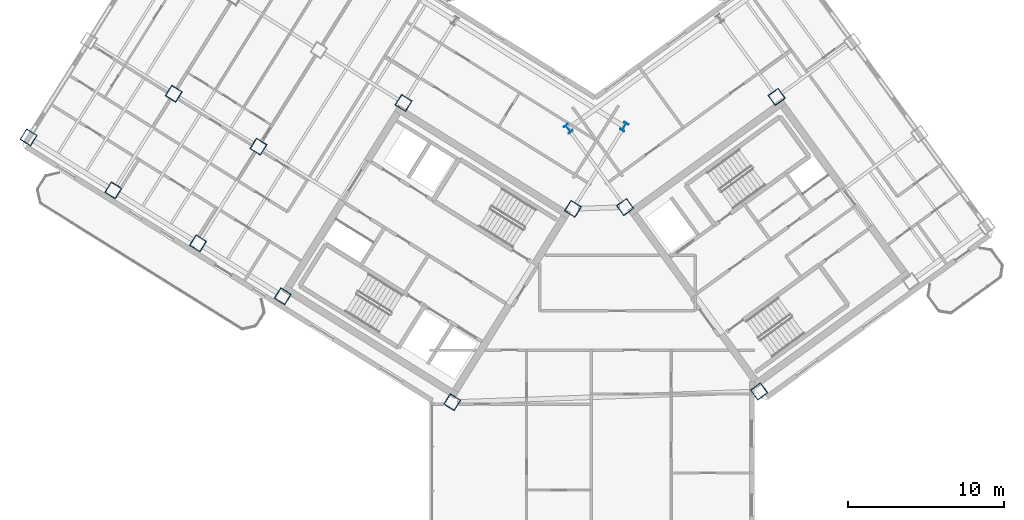
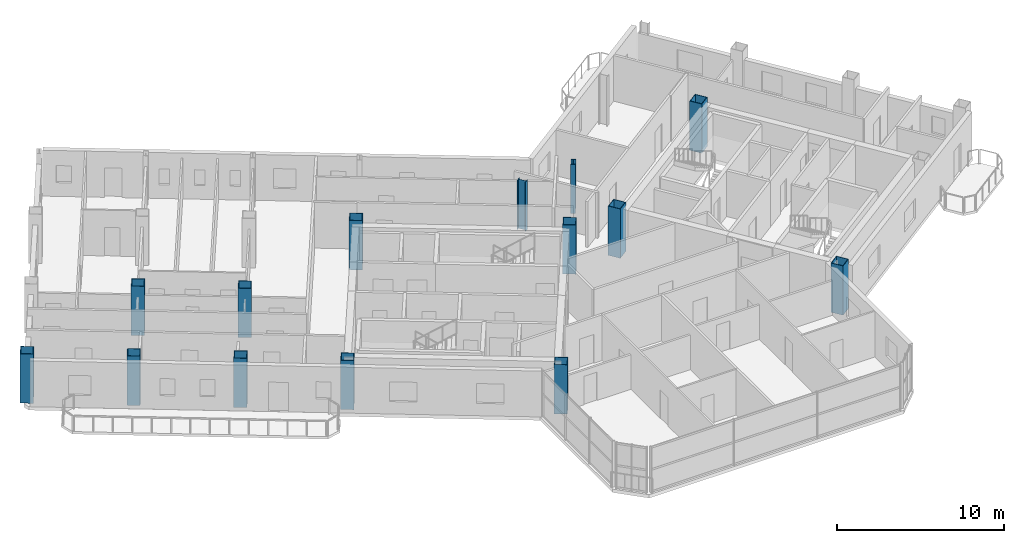
# One storey, part 1 of 20: 14 columns.
"""IFC4 building model written with IfcOpenShell, lengths in metres."""

from ifc_helpers import new_model, si_unit, direction, frame, origin, origin_2d, place, context, subcontext, project, spatial, hollow_rectangle, i_section, extrude, source, transform, mapped, material, material_profile, profile_set, type_object, element, save


model = new_model("IFC4")

# Units and contexts
model_context = context("Model", 3, precision=1e-05, world=origin(), true_north=direction((0.0, 1.0)))
body_context = subcontext(model_context, "Body", "Model", "MODEL_VIEW")
ifc_project = project(units=[si_unit("LENGTHUNIT", "METRE"), si_unit("AREAUNIT", "SQUARE_METRE"), si_unit("VOLUMEUNIT", "CUBIC_METRE"), si_unit("PLANEANGLEUNIT", "RADIAN"), si_unit("MASSUNIT", "GRAM", prefix="KILO")], contexts=[model_context])

# Site, building, storey
site_placement = place(None, origin())
site = spatial("IfcSite", under=ifc_project, at=site_placement, CompositionType="ELEMENT")
building_placement = place(site_placement, origin())
building = spatial("IfcBuilding", under=site, at=building_placement, Name="Tlacorven Tower", CompositionType="ELEMENT")
storey_placement = place(building_placement, frame((0.0, 0.0, 225.60009765625)))
storey = spatial("IfcBuildingStorey", under=building, at=storey_placement, Name="L57", CompositionType="ELEMENT", Elevation=225.60009765625)

# Columns
ifc_material = material(Name="Steel S460M", Category="steel")
ifc_material_profile_1 = material_profile(ifc_material, i_section(OverallWidth=0.300048828125, OverallDepth=0.550048828125, WebThickness=0.014892578125, FlangeThickness=0.029052734375, at=origin_2d()), Name="HEB 550")
ifc_profile_set_1 = profile_set([ifc_material_profile_1], Name="Steel S460M")
column_type_1 = type_object("IfcColumnType", Name="COL-TWR-P2", PredefinedType="COLUMN", material=ifc_profile_set_1)
shared_shape_1 = source(origin(), body_context, "Body", "SweptSolid", [
    extrude(i_section(OverallWidth=0.300048828125, OverallDepth=0.550048828125, WebThickness=0.014892578125, FlangeThickness=0.029052734375, at=origin_2d()), origin(), (0.0, 0.0, 1.0), 3.599853515625),
])
for number, where, z_axis, x_axis, name in (
    (1, (44.068359375, 29.726318359375, 0.0), (0.0, 0.0, 1.0), (-0.848048096156, 0.529919264233, 0.0), "L57 column COL-L57-W1-1"),
    (2, (40.4794921875, 29.60107421875, 0.0), (0.0, 0.0, 1.0), (0.809016994375, 0.587785252292, 0.0), "L57 column COL-L57-E1-4"),
):
    element("IfcColumn", number, at=place(storey_placement, frame(where, z_axis=z_axis, x_axis=x_axis)), inside=storey, type_object=column_type_1, Name=name, PredefinedType="COLUMN", context=body_context, shape_type="MappedRepresentation", body=[
        mapped(shared_shape_1, transform((0.0, 0.0, 0.0), scale=1.0)),
    ])
ifc_material_profile_2 = material_profile(ifc_material, hollow_rectangle(XDim=0.800048828125, YDim=0.800048828125, WallThickness=0.031982421875, at=origin_2d()), Name="BOX 800X800X32")
ifc_profile_set_2 = profile_set([ifc_material_profile_2], Name="Steel S460M")
column_type_2 = type_object("IfcColumnType", Name="COL-TWR-S3", PredefinedType="COLUMN", material=ifc_profile_set_2)
shared_shape_2 = source(origin(), body_context, "Body", "SweptSolid", [
    extrude(hollow_rectangle(XDim=0.800048828125, YDim=0.800048828125, WallThickness=0.031982421875, at=origin_2d()), origin(), (0.0, 0.0, 1.0), 3.599853515625),
])
for number, where, z_axis, x_axis, name in (
    (3, (40.782958984375, 24.468505859375, 0.0), (0.0, 0.0, 1.0), (-0.848048096156, 0.529919264233, 0.0), "L57 column COL-L57-W1-2"),
    (4, (33.046142578125, 12.0869140625, 0.0), (0.0, 0.0, 1.0), (-0.848048096156, 0.529919264233, 0.0), "L57 column COL-L57-W1-4"),
    (5, (29.927978515625, 31.25146484375, 0.0), (0.0, 0.0, 1.0), (-0.848048096156, 0.529919264233, 0.0), "L57 column COL-L57-W3-2"),
    (6, (22.191162109375, 18.869873046875, 0.0), (0.0, 0.0, 1.0), (-0.848048096156, 0.529919264233, 0.0), "L57 column COL-L57-W3-4"),
    (7, (20.632080078125, 28.4521484375, 0.0), (0.0, 0.0, 1.0), (-0.848048096156, 0.529919264233, 0.0), "L57 column COL-L57-W4-3"),
    (8, (16.763671875, 22.26123046875, 0.0), (0.0, 0.0, 1.0), (-0.848048096156, 0.529919264233, 0.0), "L57 column COL-L57-W4-4"),
    (9, (15.20458984375, 31.843505859375, 0.0), (0.0, 0.0, 1.0), (-0.848048096156, 0.529919264233, 0.0), "L57 column COL-L57-W5-3"),
    (10, (11.336181640625, 25.65283203125, 0.0), (0.0, 0.0, 1.0), (-0.848048096156, 0.529919264233, 0.0), "L57 column COL-L57-W5-4"),
    (11, (5.90869140625, 29.044189453125, 0.0), (0.0, 0.0, 1.0), (-0.848048096156, 0.529919264233, 0.0), "L57 column COL-L57-W6-4"),
    (12, (52.705322265625, 12.7734375, 0.0), (0.0, 0.0, 1.0), (0.809016994375, 0.587785252292, 0.0), "L57 column COL-L57-E1-1"),
    (13, (44.123779296875, 24.5849609375, 0.0), (0.0, 0.0, 1.0), (0.809016994375, 0.587785252292, 0.0), "L57 column COL-L57-E1-3"),
    (14, (53.83203125, 31.638427734375, 0.0), (0.0, 0.0, 1.0), (0.809016994375, 0.587785252292, 0.0), "L57 column COL-L57-E3-3"),
):
    element("IfcColumn", number, at=place(storey_placement, frame(where, z_axis=z_axis, x_axis=x_axis)), inside=storey, type_object=column_type_2, Name=name, PredefinedType="COLUMN", context=body_context, shape_type="MappedRepresentation", body=[
        mapped(shared_shape_2, transform((0.0, 0.0, 0.0), scale=1.0)),
    ])

save(model, "model.ifc")
